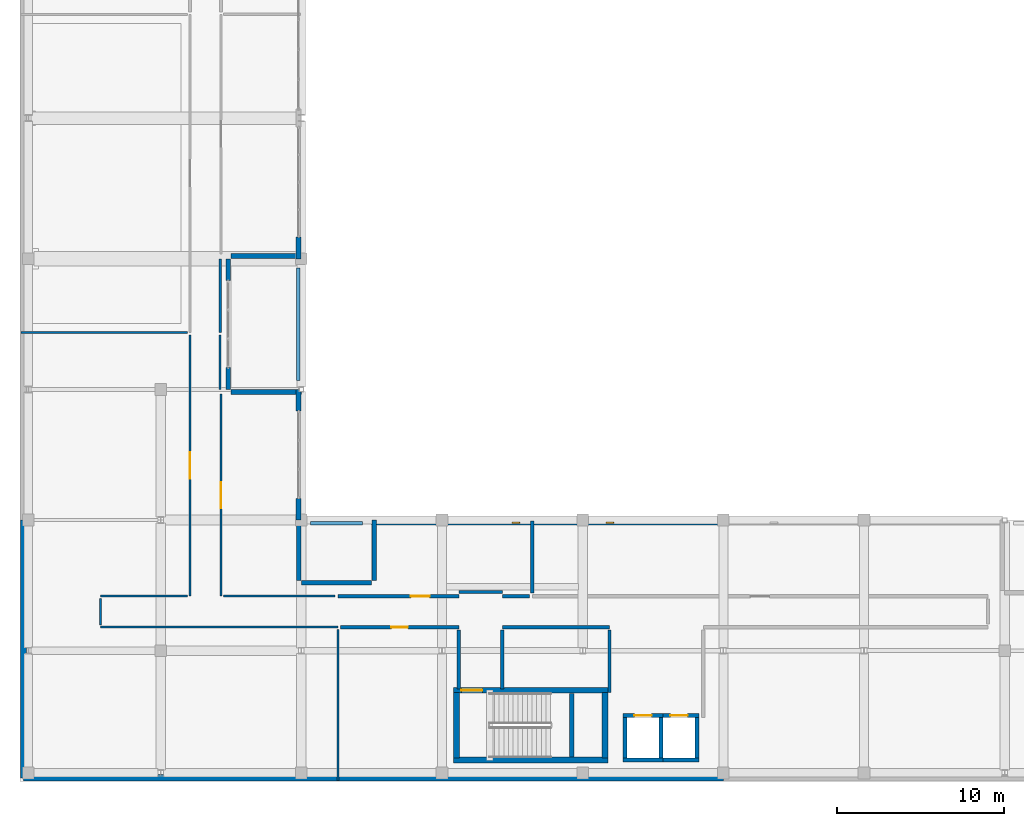
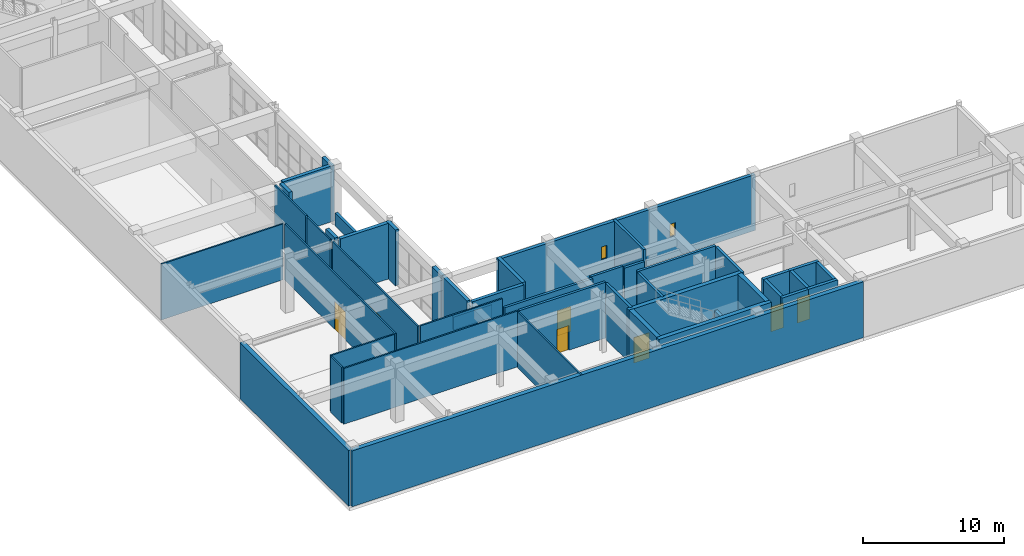
# One storey, part 58 of 78: 46 walls, 7 doors, 2 windows, 9 openings.
"""IFC4 building model written with IfcOpenShell, lengths in metres."""

import ifcopenshell
import ifcopenshell.guid

model = None  # the IFC model being written
_history = None  # IfcOwnerHistory: only IFC2X3 demands one
_inside = {}  # id of a spatial element -> (the spatial element, [elements in it])
_under = {}  # id of a project, library or spatial element -> (it, [spatial elements below it])
_declared = {}  # id of a project -> (the project, [libraries it declares])
_typed = {}  # id of a type object -> (the type object, [elements of that type])
_made_of = {}  # id of a material, layer set ... -> (it, [elements and type objects made of it])


def new_model(schema):
    """Start an empty IFC model of exactly this schema.

    Asked for "IFC4X3", IfcOpenShell would pick the latest addendum, in which some entities
    have other attributes; the version numbers below select the first issue.
    IFC2X3 requires an IfcOwnerHistory on every rooted entity: one is made here for all.
    """
    global model, _history
    if schema == "IFC4X3":
        model = ifcopenshell.file(schema_version=(4, 3, 0, 0))
    else:
        model = ifcopenshell.file(schema=schema)
    _inside.clear()
    _under.clear()
    _declared.clear()
    _typed.clear()
    _made_of.clear()
    _history = None
    if model.schema == "IFC2X3":
        org = make("IfcOrganization", Name="unknown")
        user = make(
            "IfcPersonAndOrganization",
            ThePerson=make("IfcPerson", FamilyName="unknown"),
            TheOrganization=org,
        )
        app = make(
            "IfcApplication",
            ApplicationDeveloper=org,
            Version="unknown",
            ApplicationFullName="unknown",
            ApplicationIdentifier="unknown",
        )
        _history = make(
            "IfcOwnerHistory",
            OwningUser=user,
            OwningApplication=app,
            ChangeAction="ADDED",
            CreationDate=0,
        )
    return model


def make(cls, **values):
    """One entity of the class cls with the attributes given. An attribute that is None is left unset."""
    return model.create_entity(
        cls, **{name: value for name, value in values.items() if value is not None}
    )


def rooted(cls, **values):
    """An entity with a GlobalId (a new one), such as an element, a storey or a relation."""
    return make(cls, GlobalId=ifcopenshell.guid.new(), OwnerHistory=_history, **values)


def si_unit(unit_type, name, prefix=None):
    """IfcSIUnit, for example si_unit("LENGTHUNIT", "METRE", prefix="MILLI")."""
    return make("IfcSIUnit", UnitType=unit_type, Prefix=prefix, Name=name)


def assignment(units):
    """IfcUnitAssignment: the units of a project."""
    return None if units is None else make("IfcUnitAssignment", Units=units)


def point(xyz):
    """IfcCartesianPoint."""
    return None if xyz is None else make("IfcCartesianPoint", Coordinates=xyz)


def direction(xyz):
    """IfcDirection."""
    return None if xyz is None else make("IfcDirection", DirectionRatios=xyz)


def frame(location, z_axis=None, x_axis=None):
    """IfcAxis2Placement3D, a coordinate frame: its origin and axes. An axis left out is left unset."""
    return make(
        "IfcAxis2Placement3D",
        Location=point(location),
        Axis=direction(z_axis),
        RefDirection=direction(x_axis),
    )


def frame_2d(location, x_axis=None):
    """IfcAxis2Placement2D, a coordinate frame in the plane: its origin and x axis."""
    return make(
        "IfcAxis2Placement2D", Location=point(location), RefDirection=direction(x_axis)
    )


def origin():
    """The frame at (0, 0, 0) with its axes left unset."""
    return frame((0.0, 0.0, 0.0))


def place(relative_to, where):
    """IfcLocalPlacement: puts the frame where relative to a parent placement (None: the world)."""
    return make(
        "IfcLocalPlacement", PlacementRelTo=relative_to, RelativePlacement=where
    )


def context(
    kind, dimensions, precision=None, world=None, true_north=None, identifier=None
):
    """IfcGeometricRepresentationContext, for example the 3D "Model" context."""
    return make(
        "IfcGeometricRepresentationContext",
        ContextIdentifier=identifier,
        ContextType=kind,
        CoordinateSpaceDimension=dimensions,
        Precision=precision,
        WorldCoordinateSystem=world,
        TrueNorth=true_north,
    )


def subcontext(parent, identifier, kind, view, scale=None):
    """IfcGeometricRepresentationSubContext, for example "Body" below "Model"."""
    return make(
        "IfcGeometricRepresentationSubContext",
        ContextIdentifier=identifier,
        ContextType=kind,
        ParentContext=parent,
        TargetScale=scale,
        TargetView=view,
    )


def project(units=None, contexts=None):
    """IfcProject with its units and contexts."""
    return rooted(
        "IfcProject",
        Name="project",
        RepresentationContexts=contexts,
        UnitsInContext=assignment(units),
    )


def spatial(cls, under=None, at=None, **own):
    """A site, building, storey or space (cls), placed at a placement, below another one or the project."""
    s = rooted(cls, ObjectPlacement=at, **own)
    if under is not None:
        _under.setdefault(under.id(), (under, []))[1].append(s)
    return s


def profile(cls, at=None, kind="AREA", **sizes):
    """A parametric profile (cls). Its sizes go by their IFC names, for example OverallWidth=200.0."""
    return make(cls, ProfileType=kind, Position=at, **sizes)


def rectangle(**sizes):
    """IfcRectangleProfileDef."""
    return profile("IfcRectangleProfileDef", **sizes)


def extrude(swept, where, along, depth):
    """IfcExtrudedAreaSolid: the profile swept, set in the frame where, extruded along a direction by depth."""
    return make(
        "IfcExtrudedAreaSolid",
        SweptArea=swept,
        Position=where,
        ExtrudedDirection=direction(along),
        Depth=depth,
    )


def shape(context_of_items, identifier, shape_type, items):
    """IfcShapeRepresentation: the items that make up one representation, for example the "Body"."""
    return make(
        "IfcShapeRepresentation",
        ContextOfItems=context_of_items,
        RepresentationIdentifier=identifier,
        RepresentationType=shape_type,
        Items=items,
    )


def material(Name=None, Category=None):
    """IfcMaterial."""
    return make("IfcMaterial", Name=Name, Category=Category)


def layer(
    of_material, thickness, ventilated=None, Name=None, Category=None, Priority=None
):
    """IfcMaterialLayer: one layer of a wall or slab, of a material (None: an air gap)."""
    return make(
        "IfcMaterialLayer",
        Material=of_material,
        LayerThickness=thickness,
        IsVentilated=ventilated,
        Name=Name,
        Category=Category,
        Priority=Priority,
    )


def layer_set(layers, Name=None):
    """IfcMaterialLayerSet."""
    return make("IfcMaterialLayerSet", MaterialLayers=layers, LayerSetName=Name)


def made_of(thing, what):
    """Note that an element or type object is made of a material, layer set ...; save() writes the relation."""
    if what is not None:
        _made_of.setdefault(what.id(), (what, []))[1].append(thing)
    return thing


def type_object(cls, material=None, **own):
    """A type object (cls), such as IfcWallType, which elements share."""
    return made_of(rooted(cls, **own), material)


def element(
    cls,
    number,
    at=None,
    inside=None,
    cuts=None,
    type_object=None,
    material=None,
    context=None,
    identifier="Body",
    shape_type=None,
    held_by="IfcProductDefinitionShape",
    body=None,
    shapes=None,
    **own,
):
    """One element of the class cls, such as IfcWall. Its Tag is "e" and its number.

    at: its placement. inside: the storey or other place that contains it. cuts: it is an
    opening in that element (IfcRelVoidsElement). A single representation is given by context,
    identifier, shape_type and body (its items); several are given by shapes. held_by: the class
    of the entity that holds the representations. save() writes the other relations.
    """
    e = rooted(cls, Tag="e%d" % number, ObjectPlacement=at, **own)
    if body is not None:
        shapes = [shape(context, identifier, shape_type, body)]
    if shapes is not None:
        e.Representation = make(held_by, Representations=shapes)
    if inside is not None:
        _inside.setdefault(inside.id(), (inside, []))[1].append(e)
    if cuts is not None:
        rooted(
            "IfcRelVoidsElement", RelatingBuildingElement=cuts, RelatedOpeningElement=e
        )
    if type_object is not None:
        _typed.setdefault(type_object.id(), (type_object, []))[1].append(e)
    return made_of(e, material)


def fill(opening, filler):
    """IfcRelFillsElement: the door or window that sits in an opening."""
    return rooted(
        "IfcRelFillsElement",
        RelatingOpeningElement=opening,
        RelatedBuildingElement=filler,
    )


def aggregate(whole, parts):
    """IfcRelAggregates: a whole, such as a stair, and the parts it consists of."""
    return rooted("IfcRelAggregates", RelatingObject=whole, RelatedObjects=parts)


def save(model, path):
    """Write the relations noted so far, then the file.

    IfcRelAggregates (storeys below a building ...), IfcRelContainedInSpatialStructure (elements
    in a storey), IfcRelDefinesByType, IfcRelAssociatesMaterial and IfcRelDeclares: one each for
    every whole, place, type object, material and project.
    """
    for whole, parts in _under.values():
        aggregate(whole, parts)
    for where, things in _inside.values():
        rooted(
            "IfcRelContainedInSpatialStructure",
            RelatedElements=things,
            RelatingStructure=where,
        )
    for kind, things in _typed.values():
        rooted("IfcRelDefinesByType", RelatedObjects=things, RelatingType=kind)
    for what, things in _made_of.values():
        rooted("IfcRelAssociatesMaterial", RelatedObjects=things, RelatingMaterial=what)
    for by, libraries in _declared.values():
        rooted("IfcRelDeclares", RelatingContext=by, RelatedDefinitions=libraries)
    model.write(path)


model = new_model("IFC4")

# Units and contexts
model_context = context("Model", 3, precision=1e-05, world=origin(), true_north=direction((0.0, 1.0)))
body_context = subcontext(model_context, "Body", "Model", "MODEL_VIEW")
ifc_project = project(units=[si_unit("LENGTHUNIT", "METRE"), si_unit("AREAUNIT", "SQUARE_METRE"), si_unit("VOLUMEUNIT", "CUBIC_METRE"), si_unit("PLANEANGLEUNIT", "RADIAN"), si_unit("MASSUNIT", "GRAM", prefix="KILO")], contexts=[model_context])

# Site, building, storey
site_placement = place(None, origin())
site = spatial("IfcSite", under=ifc_project, at=site_placement, CompositionType="ELEMENT")
building_placement = place(site_placement, origin())
building = spatial("IfcBuilding", under=site, at=building_placement, Name="Quendrovan Civic Courthouse", CompositionType="ELEMENT")
storey_placement = place(building_placement, frame((0.0, 0.0, 10.199951171875)))
storey = spatial("IfcBuildingStorey", under=building, at=storey_placement, Name="L03", CompositionType="ELEMENT", Elevation=10.199951171875)

# Walls
ifc_material_1 = material(Name="Acoustic gypsum stud partition")
ifc_layer_1 = layer(ifc_material_1, 0.139892578125, Name="Acoustic gypsum stud partition")
ifc_layer_set_1 = layer_set([ifc_layer_1], Name="Acoustic gypsum stud partition")
wall_type_1 = type_object("IfcWallType", Name="WL-CHM-140", PredefinedType="PARTITIONING", material=ifc_layer_set_1)
wall_1_placement = place(storey_placement, frame((11.949951171875, 26.800048828125, 0.0), z_axis=(0.0, 0.0, 1.0), x_axis=(0.0, 1.0, 0.0)))
element("IfcWall", 1, at=wall_1_placement, inside=storey, type_object=wall_type_1, Name="L03 Attorney Conference Room Partition 0484", PredefinedType="PARTITIONING", context=body_context, shape_type="SweptSolid", body=[
    extrude(rectangle(XDim=4.39990234375, YDim=0.139892578125, at=frame_2d((2.199951171875, 0.0))), origin(), (0.0, 0.0, 1.0), 4.820068359375),
])
ifc_material_2 = material(Name="Concrete C45/55", Category="concrete")
ifc_layer_2 = layer(ifc_material_2, 0.35009765625, Name="Concrete C45/55")
ifc_layer_set_2 = layer_set([ifc_layer_2], Name="Concrete C45/55")
wall_type_2 = type_object("IfcWallType", Name="WL-CORE-350", PredefinedType="SHEAR", material=ifc_layer_set_2)
wall_2_placement = place(storey_placement, frame((25.889892578125, 1.264892578125, 0.0), z_axis=(0.0, 0.0, 1.0), x_axis=(1.0, 0.0, 0.0)))
element("IfcWall", 2, at=wall_2_placement, inside=storey, type_object=wall_type_2, Name="L03 Core Shear Wall ST5-S", PredefinedType="SHEAR", context=body_context, shape_type="SweptSolid", body=[
    extrude(rectangle(XDim=9.22021484375, YDim=0.35009765625, at=frame_2d((4.610107421875, 0.0))), origin(), (0.0, 0.0, 1.0), 4.820068359375),
])

# Wall, opening, door
wall_3_placement = place(storey_placement, frame((35.110107421875, 5.43505859375, 0.0), z_axis=(0.0, 0.0, 1.0), x_axis=(-1.0, 0.0, 0.0)))
wall_3 = element("IfcWall", 3, at=wall_3_placement, inside=storey, type_object=wall_type_2, Name="L03 Core Shear Wall ST5-N", PredefinedType="SHEAR", context=body_context, shape_type="SweptSolid", body=[
    extrude(rectangle(XDim=9.22021484375, YDim=0.35009765625, at=frame_2d((4.610107421875, 0.0))), origin(), (0.0, 0.0, 1.0), 4.820068359375),
])
opening_1_placement = place(wall_3_placement, frame((7.5, 0.0, 0.0)))
opening_1 = element("IfcOpeningElement", 4, at=opening_1_placement, cuts=wall_3, Name="Opening DS-ST5-L03", PredefinedType="OPENING", context=body_context, shape_type="SweptSolid", body=[
    extrude(rectangle(XDim=1.25, YDim=2.199951171875, at=frame_2d((0.625, 1.10009765625))), frame((0.0, 0.18505859375, 0.0), z_axis=(0.0, -1.0, 0.0), x_axis=(1.0, 0.0, 0.0)), (0.0, 0.0, 1.0), 0.3701171875),
])
ifc_material_3 = material(Name="Painted galvanized hollow-metal steel", Category="steel")
door_type_1 = type_object("IfcDoorType", Name="DR-STAIR-1250", OperationType="NOTDEFINED", PredefinedType="DOOR", material=ifc_material_3)
door_1_placement = place(opening_1_placement, origin())
door_1 = element("IfcDoor", 5, at=door_1_placement, inside=storey, type_object=door_type_1, Name="L03 Exit Stair ST5 Fire Door", OperationType="SINGLE_SWING_LEFT", OverallHeight=2.199951171875, OverallWidth=1.25, PredefinedType="DOOR", context=body_context, shape_type="SweptSolid", body=[
    extrude(rectangle(XDim=1.25, YDim=2.199951171875, at=frame_2d((0.625, 1.10009765625))), frame((0.0, 0.02490234375, 0.0), z_axis=(0.0, -1.0, 0.0), x_axis=(1.0, 0.0, 0.0)), (0.0, 0.0, 1.0), 0.050048828125),
])
fill(opening_1, door_1)

# Walls
for number, where, z_axis, x_axis, name in (
    (6, (26.06494140625, 1.39990234375, 0.0), (0.0, 0.0, 1.0), (0.0, 1.0, 0.0), "L03 Core Shear Wall ST5-W"),
    (7, (34.93505859375, 5.300048828125, 0.0), (0.0, 0.0, 1.0), (0.0, -1.0, 0.0), "L03 Core Shear Wall ST5-E"),
):
    element("IfcWall", number, at=place(storey_placement, frame(where, z_axis=z_axis, x_axis=x_axis)), inside=storey, type_object=wall_type_2, Name=name, PredefinedType="SHEAR", context=body_context, shape_type="SweptSolid", body=[
        extrude(rectangle(XDim=3.900146484375, YDim=0.35009765625, at=frame_2d((1.9501953125, 0.0))), origin(), (0.0, 0.0, 1.0), 4.820068359375),
    ])

# Wall, opening, door
ifc_material_4 = material(Name="Concrete C40/50", Category="concrete")
ifc_layer_3 = layer(ifc_material_4, 0.199951171875, Name="Concrete C40/50")
ifc_layer_set_3 = layer_set([ifc_layer_3], Name="Concrete C40/50")
wall_type_3 = type_object("IfcWallType", Name="WL-CUST-200", PredefinedType="PARTITIONING", material=ifc_layer_set_3)
wall_4_placement = place(storey_placement, frame((19.139892578125, 9.199951171875, 0.0), z_axis=(0.0, 0.0, 1.0), x_axis=(1.0, 0.0, 0.0)))
wall_4 = element("IfcWall", 8, at=wall_4_placement, inside=storey, type_object=wall_type_3, Name="L03 Custody Holding Cell Partition 0463", PredefinedType="PARTITIONING", context=body_context, shape_type="SweptSolid", body=[
    extrude(rectangle(XDim=7.06005859375, YDim=0.199951171875, at=frame_2d((3.530029296875, 0.0))), origin(), (0.0, 0.0, 1.0), 4.820068359375),
])
opening_2_placement = place(wall_4_placement, frame((3.0400390625, 0.0, 0.0)))
opening_2 = element("IfcOpeningElement", 9, at=opening_2_placement, cuts=wall_4, Name="Opening D-L03-061", PredefinedType="OPENING", context=body_context, shape_type="SweptSolid", body=[
    extrude(rectangle(XDim=0.97998046875, YDim=2.1201171875, at=frame_2d((0.489990234375, 1.06005859375))), frame((0.0, 0.10986328125, 0.0), z_axis=(0.0, -1.0, 0.0), x_axis=(1.0, 0.0, 0.0)), (0.0, 0.0, 1.0), 0.219970703125),
])
ifc_material_5 = material(Name="Heavy-gauge security steel door", Category="steel")
door_type_2 = type_object("IfcDoorType", Name="DR-CELL-980", OperationType="NOTDEFINED", PredefinedType="DOOR", material=ifc_material_5)
door_2_placement = place(opening_2_placement, origin())
door_2 = element("IfcDoor", 10, at=door_2_placement, inside=storey, type_object=door_type_2, Name="L03 Custody Holding Cell Door D-L03-061", OperationType="SINGLE_SWING_RIGHT", OverallHeight=2.1201171875, OverallWidth=0.97998046875, PredefinedType="DOOR", context=body_context, shape_type="SweptSolid", body=[
    extrude(rectangle(XDim=0.97998046875, YDim=2.1201171875, at=frame_2d((0.489990234375, 1.06005859375))), frame((0.0, 0.02490234375, 0.0), z_axis=(0.0, -1.0, 0.0), x_axis=(1.0, 0.0, 0.0)), (0.0, 0.0, 1.0), 0.050048828125),
])
fill(opening_2, door_2)

wall_5_placement = place(storey_placement, frame((26.199951171875, 11.050048828125, 0.0), z_axis=(0.0, 0.0, 1.0), x_axis=(-1.0, 0.0, 0.0)))
wall_5 = element("IfcWall", 11, at=wall_5_placement, inside=storey, type_object=wall_type_3, Name="L03 Custody Suite Medical and Classification Unit 2 Partition 0464", PredefinedType="PARTITIONING", context=body_context, shape_type="SweptSolid", body=[
    extrude(rectangle(XDim=7.199951171875, YDim=0.199951171875, at=frame_2d((3.60009765625, 0.0))), origin(), (0.0, 0.0, 1.0), 4.0),
])
opening_3_placement = place(wall_5_placement, frame((1.743896484375, 0.0, 0.0)))
opening_3 = element("IfcOpeningElement", 12, at=opening_3_placement, cuts=wall_5, Name="Opening D-L03-064", PredefinedType="OPENING", context=body_context, shape_type="SweptSolid", body=[
    extrude(rectangle(XDim=1.1201171875, YDim=2.14990234375, at=frame_2d((0.56005859375, 1.074951171875))), frame((0.0, 0.10986328125, 0.0), z_axis=(0.0, -1.0, 0.0), x_axis=(1.0, 0.0, 0.0)), (0.0, 0.0, 1.0), 0.219970703125),
])
door_type_3 = type_object("IfcDoorType", Name="DR-CUST-1120", OperationType="NOTDEFINED", PredefinedType="DOOR", material=ifc_material_5)
door_3_placement = place(opening_3_placement, origin())
door_3 = element("IfcDoor", 13, at=door_3_placement, inside=storey, type_object=door_type_3, Name="L03 Custody Suite Medical and Classification Unit 2 Door D-L03-064", OperationType="SINGLE_SWING_LEFT", OverallHeight=2.14990234375, OverallWidth=1.1201171875, PredefinedType="DOOR", context=body_context, shape_type="SweptSolid", body=[
    extrude(rectangle(XDim=1.1201171875, YDim=2.14990234375, at=frame_2d((0.56005859375, 1.074951171875))), frame((0.0, 0.02490234375, 0.0), z_axis=(0.0, -1.0, 0.0), x_axis=(1.0, 0.0, 0.0)), (0.0, 0.0, 1.0), 0.050048828125),
])
fill(opening_3, door_3)

# Walls
wall_6_placement = place(storey_placement, frame((28.800048828125, 9.199951171875, 0.0), z_axis=(0.0, 0.0, 1.0), x_axis=(1.0, 0.0, 0.0)))
element("IfcWall", 14, at=wall_6_placement, inside=storey, type_object=wall_type_3, Name="L03 Custody Suite Medical and Classification Unit 1 Partition 0471", PredefinedType="PARTITIONING", context=body_context, shape_type="SweptSolid", body=[
    extrude(rectangle(XDim=6.39990234375, YDim=0.199951171875, at=frame_2d((3.199951171875, 0.0))), origin(), (0.0, 0.0, 1.0), 4.820068359375),
])
wall_7_placement = place(storey_placement, frame((35.199951171875, 9.02001953125, 0.0), z_axis=(0.0, 0.0, 1.0), x_axis=(0.0, -1.0, 0.0)))
element("IfcWall", 15, at=wall_7_placement, inside=storey, type_object=wall_type_3, Name="L03 Custody Suite Medical and Classification Unit 1 Partition 0476", PredefinedType="PARTITIONING", context=body_context, shape_type="SweptSolid", body=[
    extrude(rectangle(XDim=3.719970703125, YDim=0.199951171875, at=frame_2d((1.85986328125, 0.0))), origin(), (0.0, 0.0, 1.0), 4.820068359375),
])
wall_8_placement = place(storey_placement, frame((30.590087890625, 11.22998046875, 0.0), z_axis=(0.0, 0.0, 1.0), x_axis=(0.0, 1.0, 0.0)))
element("IfcWall", 16, at=wall_8_placement, inside=storey, type_object=wall_type_3, Name="L03 Custody Suite Medical and Classification Unit 1 Partition 0483", PredefinedType="PARTITIONING", context=body_context, shape_type="SweptSolid", body=[
    extrude(rectangle(XDim=4.31005859375, YDim=0.199951171875, at=frame_2d((2.155029296875, 0.0))), origin(), (0.0, 0.0, 1.0), 4.820068359375),
])
for number, where, z_axis, x_axis, name in (
    (17, (26.199951171875, 9.02001953125, 0.0), (0.0, 0.0, 1.0), (0.0, -1.0, 0.0), "L03 Custody Holding Cell Partition 0493"),
    (18, (28.800048828125, 5.52001953125, 0.0), (0.0, 0.0, 1.0), (0.0, 1.0, 0.0), "L03 Custody Suite Medical and Classification Unit 1 Partition 0494"),
):
    element("IfcWall", number, at=place(storey_placement, frame(where, z_axis=z_axis, x_axis=x_axis)), inside=storey, type_object=wall_type_3, Name=name, PredefinedType="PARTITIONING", context=body_context, shape_type="SweptSolid", body=[
        extrude(rectangle(XDim=3.5, YDim=0.199951171875, at=frame_2d((1.75, 0.0))), origin(), (0.0, 0.0, 1.0), 4.820068359375),
    ])
wall_9_placement = place(storey_placement, frame((28.800048828125, 11.300048828125, 0.0), z_axis=(0.0, 0.0, 1.0), x_axis=(-1.0, 0.0, 0.0)))
element("IfcWall", 19, at=wall_9_placement, inside=storey, type_object=wall_type_3, Name="L03 Custody Suite Medical and Classification Unit 2 Partition 0512", PredefinedType="PARTITIONING", context=body_context, shape_type="SweptSolid", body=[
    extrude(rectangle(XDim=2.60009765625, YDim=0.199951171875, at=frame_2d((1.300048828125, 0.0))), origin(), (0.0, 0.0, 1.0), 4.0),
])
wall_10_placement = place(storey_placement, frame((30.409912109375, 11.050048828125, 0.0), z_axis=(0.0, 0.0, 1.0), x_axis=(-1.0, 0.0, 0.0)))
element("IfcWall", 20, at=wall_10_placement, inside=storey, type_object=wall_type_3, Name="L03 Custody Suite Medical and Classification Unit 2 Partition 0532", PredefinedType="PARTITIONING", context=body_context, shape_type="SweptSolid", body=[
    extrude(rectangle(XDim=1.60986328125, YDim=0.199951171875, at=frame_2d((0.804931640625, 0.0))), origin(), (0.0, 0.0, 1.0), 4.0),
])
ifc_material_6 = material(Name="Precast concrete C45/55", Category="concrete")
ifc_layer_4 = layer(ifc_material_6, 0.2900390625, Name="Precast concrete C45/55")
ifc_layer_set_4 = layer_set([ifc_layer_4], Name="Precast concrete C45/55")
wall_type_4 = type_object("IfcWallType", Name="WL-EXT-PC290", PredefinedType="SOLIDWALL", material=ifc_layer_set_4)
wall_11_placement = place(storey_placement, frame((16.635009765625, 32.5, 0.0), z_axis=(0.0, 0.0, 1.0), x_axis=(0.0, -1.0, 0.0)))
element("IfcWall", 21, at=wall_11_placement, inside=storey, type_object=wall_type_4, Name="L03 Exterior Pier Wall 266", PredefinedType="SOLIDWALL", context=body_context, shape_type="SweptSolid", body=[
    extrude(rectangle(XDim=1.300048828125, YDim=0.2900390625, at=frame_2d((0.64990234375, 0.0))), origin(), (0.0, 0.0, 1.0), 4.820068359375),
])
wall_12_placement = place(storey_placement, frame((16.800048828125, 31.364990234375, 0.0), z_axis=(0.0, 0.0, 1.0), x_axis=(-1.0, 0.0, 0.0)))
element("IfcWall", 22, at=wall_12_placement, inside=storey, type_object=wall_type_4, Name="L03 Exterior Civic Portal Wall 267", PredefinedType="SOLIDWALL", context=body_context, shape_type="SweptSolid", body=[
    extrude(rectangle(XDim=4.199951171875, YDim=0.2900390625, at=frame_2d((2.10009765625, 0.0))), origin(), (0.0, 0.0, 1.0), 4.820068359375),
])
for number, where, z_axis, x_axis, name in (
    (23, (12.43505859375, 31.199951171875, 0.0), (0.0, 0.0, 1.0), (0.0, -1.0, 0.0), "L03 Exterior Pier Wall 268"),
    (24, (12.43505859375, 24.699951171875, 0.0), (0.0, 0.0, 1.0), (0.0, -1.0, 0.0), "L03 Exterior Pier Wall 269"),
):
    element("IfcWall", number, at=place(storey_placement, frame(where, z_axis=z_axis, x_axis=x_axis)), inside=storey, type_object=wall_type_4, Name=name, PredefinedType="SOLIDWALL", context=body_context, shape_type="SweptSolid", body=[
        extrude(rectangle(XDim=1.300048828125, YDim=0.2900390625, at=frame_2d((0.64990234375, 0.0))), origin(), (0.0, 0.0, 1.0), 4.820068359375),
    ])
wall_13_placement = place(storey_placement, frame((12.60009765625, 23.235107421875, 0.0), z_axis=(0.0, 0.0, 1.0), x_axis=(1.0, 0.0, 0.0)))
element("IfcWall", 25, at=wall_13_placement, inside=storey, type_object=wall_type_4, Name="L03 Exterior Civic Portal Wall 270", PredefinedType="SOLIDWALL", context=body_context, shape_type="SweptSolid", body=[
    extrude(rectangle(XDim=4.199951171875, YDim=0.2900390625, at=frame_2d((2.10009765625, 0.0))), origin(), (0.0, 0.0, 1.0), 4.820068359375),
])
for number, where, z_axis, x_axis, name in (
    (26, (16.635009765625, 23.39990234375, 0.0), (0.0, 0.0, 1.0), (0.0, -1.0, 0.0), "L03 Exterior Pier Wall 271"),
    (27, (16.635009765625, 16.89990234375, 0.0), (0.0, 0.0, 1.0), (0.0, -1.0, 0.0), "L03 Exterior Pier Wall 272"),
):
    element("IfcWall", number, at=place(storey_placement, frame(where, z_axis=z_axis, x_axis=x_axis)), inside=storey, type_object=wall_type_4, Name=name, PredefinedType="SOLIDWALL", context=body_context, shape_type="SweptSolid", body=[
        extrude(rectangle(XDim=1.2998046875, YDim=0.2900390625, at=frame_2d((0.64990234375, 0.0))), origin(), (0.0, 0.0, 1.0), 4.820068359375),
    ])
ifc_layer_5 = layer(ifc_material_4, 0.27001953125, Name="Concrete C40/50")
ifc_layer_set_5 = layer_set([ifc_layer_5], Name="Concrete C40/50")
wall_type_5 = type_object("IfcWallType", Name="WL-EXT-RC270", PredefinedType="SOLIDWALL", material=ifc_layer_set_5)
wall_14_placement = place(storey_placement, frame((16.64501953125, 15.60009765625, 0.0), z_axis=(0.0, 0.0, 1.0), x_axis=(0.0, -1.0, 0.0)))
element("IfcWall", 28, at=wall_14_placement, inside=storey, type_object=wall_type_5, Name="L03 Exterior Precast Concrete Wall 273", PredefinedType="SOLIDWALL", context=body_context, shape_type="SweptSolid", body=[
    extrude(rectangle(XDim=3.60009765625, YDim=0.27001953125, at=frame_2d((1.800048828125, 0.0))), origin(), (0.0, 0.0, 1.0), 4.820068359375),
])
wall_15_placement = place(storey_placement, frame((16.800048828125, 11.844970703125, 0.0), z_axis=(0.0, 0.0, 1.0), x_axis=(1.0, 0.0, 0.0)))
element("IfcWall", 29, at=wall_15_placement, inside=storey, type_object=wall_type_5, Name="L03 Exterior Precast Concrete Wall 274", PredefinedType="SOLIDWALL", context=body_context, shape_type="SweptSolid", body=[
    extrude(rectangle(XDim=4.199951171875, YDim=0.27001953125, at=frame_2d((2.10009765625, 0.0))), origin(), (0.0, 0.0, 1.0), 4.820068359375),
])
wall_16_placement = place(storey_placement, frame((21.155029296875, 12.0, 0.0), z_axis=(0.0, 0.0, 1.0), x_axis=(0.0, 1.0, 0.0)))
element("IfcWall", 30, at=wall_16_placement, inside=storey, type_object=wall_type_5, Name="L03 Exterior Precast Concrete Wall 275", PredefinedType="SOLIDWALL", context=body_context, shape_type="SweptSolid", body=[
    extrude(rectangle(XDim=3.60009765625, YDim=0.27001953125, at=frame_2d((1.800048828125, 0.0))), origin(), (0.0, 0.0, 1.0), 4.820068359375),
])

# Wall, openings, windows
wall_17_placement = place(storey_placement, frame((21.0, 15.445068359375, 0.0), z_axis=(0.0, 0.0, 1.0), x_axis=(1.0, 0.0, 0.0)))
wall_17 = element("IfcWall", 31, at=wall_17_placement, inside=storey, type_object=wall_type_5, Name="L03 Exterior Precast Concrete Wall 276", PredefinedType="SOLIDWALL", context=body_context, shape_type="SweptSolid", body=[
    extrude(rectangle(XDim=21.0, YDim=0.27001953125, at=frame_2d((10.5, 0.0))), origin(), (0.0, 0.0, 1.0), 4.820068359375),
])
opening_4_placement = place(wall_17_placement, frame((8.39990234375, 0.0, 1.85009765625)))
opening_4 = element("IfcOpeningElement", 32, at=opening_4_placement, cuts=wall_17, Name="Opening WS01", PredefinedType="OPENING", context=body_context, shape_type="SweptSolid", body=[
    extrude(rectangle(XDim=0.449951171875, YDim=1.10009765625, at=frame_2d((0.22509765625, 0.550048828125))), frame((0.0, 0.14501953125, 0.0), z_axis=(0.0, -1.0, 0.0), x_axis=(1.0, 0.0, 0.0)), (0.0, 0.0, 1.0), 0.2900390625),
])
opening_5_placement = place(wall_17_placement, frame((14.0, 0.0, 1.85009765625)))
opening_5 = element("IfcOpeningElement", 33, at=opening_5_placement, cuts=wall_17, Name="Opening WS01", PredefinedType="OPENING", context=body_context, shape_type="SweptSolid", body=[
    extrude(rectangle(XDim=0.449951171875, YDim=1.10009765625, at=frame_2d((0.22509765625, 0.550048828125))), frame((0.0, 0.14501953125, 0.0), z_axis=(0.0, -1.0, 0.0), x_axis=(1.0, 0.0, 0.0)), (0.0, 0.0, 1.0), 0.2900390625),
])
ifc_material_7 = material(Name="Polycarbonate laminated security glass", Category="glass")
window_type = type_object("IfcWindowType", Name="WIN-SEC-SLOT", PartitioningType="SINGLE_PANEL", PredefinedType="WINDOW", material=ifc_material_7)
window_1_placement = place(opening_4_placement, origin())
window_1 = element("IfcWindow", 34, at=window_1_placement, inside=storey, type_object=window_type, Name="L03 Custody High-Sill Security Window 0010", OverallHeight=1.10009765625, OverallWidth=0.449951171875, PartitioningType="SINGLE_PANEL", PredefinedType="WINDOW", context=body_context, shape_type="SweptSolid", body=[
    extrude(rectangle(XDim=0.449951171875, YDim=1.10009765625, at=frame_2d((0.22509765625, 0.550048828125))), frame((0.0, 0.030029296875, 0.0), z_axis=(0.0, -1.0, 0.0), x_axis=(1.0, 0.0, 0.0)), (0.0, 0.0, 1.0), 0.06005859375),
])
fill(opening_4, window_1)
window_2_placement = place(opening_5_placement, origin())
window_2 = element("IfcWindow", 35, at=window_2_placement, inside=storey, type_object=window_type, Name="L03 Custody High-Sill Security Window 0011", OverallHeight=1.10009765625, OverallWidth=0.449951171875, PartitioningType="SINGLE_PANEL", PredefinedType="WINDOW", context=body_context, shape_type="SweptSolid", body=[
    extrude(rectangle(XDim=0.449951171875, YDim=1.10009765625, at=frame_2d((0.22509765625, 0.550048828125))), frame((0.0, 0.030029296875, 0.0), z_axis=(0.0, -1.0, 0.0), x_axis=(1.0, 0.0, 0.0)), (0.0, 0.0, 1.0), 0.06005859375),
])
fill(opening_5, window_2)

# Wall, opening, door
ifc_material_8 = material(Name="Acoustic glazed-head stud partition")
ifc_layer_6 = layer(ifc_material_8, 0.1201171875, Name="Acoustic glazed-head stud partition")
ifc_layer_set_6 = layer_set([ifc_layer_6], Name="Acoustic glazed-head stud partition")
wall_type_6 = type_object("IfcWallType", Name="WL-LIB-120", PredefinedType="PARTITIONING", material=ifc_layer_set_6)
wall_18_placement = place(storey_placement, frame((10.14990234375, 26.659912109375, 0.0), z_axis=(0.0, 0.0, 1.0), x_axis=(0.0, -1.0, 0.0)))
wall_18 = element("IfcWall", 36, at=wall_18_placement, inside=storey, type_object=wall_type_6, Name="L03 Law Library Open Book Stacks 1 Partition 0440", PredefinedType="PARTITIONING", context=body_context, shape_type="SweptSolid", body=[
    extrude(rectangle(XDim=15.60986328125, YDim=0.1201171875, at=frame_2d((7.804931640625, 0.0))), origin(), (0.0, 0.0, 1.0), 4.820068359375),
])
opening_6_placement = place(wall_18_placement, frame((7.02490234375, 0.0, 0.0)))
opening_6 = element("IfcOpeningElement", 37, at=opening_6_placement, cuts=wall_18, Name="Opening D-L03-060", PredefinedType="OPENING", context=body_context, shape_type="SweptSolid", body=[
    extrude(rectangle(XDim=1.56005859375, YDim=2.43994140625, at=frame_2d((0.780029296875, 1.219970703125))), frame((0.0, 0.070068359375, 0.0), z_axis=(0.0, -1.0, 0.0), x_axis=(1.0, 0.0, 0.0)), (0.0, 0.0, 1.0), 0.14013671875),
])
ifc_material_9 = material(Name="Bronze-anodised aluminium acoustic glass door", Category="aluminium")
door_type_4 = type_object("IfcDoorType", Name="DR-LIB-1560", OperationType="NOTDEFINED", PredefinedType="DOOR", material=ifc_material_9)
door_4_placement = place(opening_6_placement, origin())
door_4 = element("IfcDoor", 38, at=door_4_placement, inside=storey, type_object=door_type_4, Name="L03 Law Library Open Book Stacks 1 Door D-L03-060", OperationType="SINGLE_SWING_LEFT", OverallHeight=2.43994140625, OverallWidth=1.56005859375, PredefinedType="DOOR", context=body_context, shape_type="SweptSolid", body=[
    extrude(rectangle(XDim=1.56005859375, YDim=2.43994140625, at=frame_2d((0.780029296875, 1.219970703125))), frame((0.0, 0.02490234375, 0.0), z_axis=(0.0, -1.0, 0.0), x_axis=(1.0, 0.0, 0.0)), (0.0, 0.0, 1.0), 0.050048828125),
])
fill(opening_6, door_4)

# Wall
wall_19_placement = place(storey_placement, frame((4.800048828125, 9.199951171875, 0.0), z_axis=(0.0, 0.0, 1.0), x_axis=(1.0, 0.0, 0.0)))
element("IfcWall", 39, at=wall_19_placement, inside=storey, type_object=wall_type_6, Name="L03 Law Library Open Book Stacks 1 Partition 0449", PredefinedType="PARTITIONING", context=body_context, shape_type="SweptSolid", body=[
    extrude(rectangle(XDim=14.199951171875, YDim=0.1201171875, at=frame_2d((7.10009765625, 0.0))), origin(), (0.0, 0.0, 1.0), 4.820068359375),
])

# Wall, opening, door
wall_20_placement = place(storey_placement, frame((12.0, 11.050048828125, 0.0), z_axis=(0.0, 0.0, 1.0), x_axis=(0.0, 1.0, 0.0)))
wall_20 = element("IfcWall", 40, at=wall_20_placement, inside=storey, type_object=wall_type_6, Name="L03 Law Library Open Book Stacks 2 Partition 0452", PredefinedType="PARTITIONING", context=body_context, shape_type="SweptSolid", body=[
    extrude(rectangle(XDim=12.079833984375, YDim=0.1201171875, at=frame_2d((6.0400390625, 0.0))), origin(), (0.0, 0.0, 1.0), 4.820068359375),
])
opening_7_placement = place(wall_20_placement, frame((5.260009765625, 0.0, 0.0)))
opening_7 = element("IfcOpeningElement", 41, at=opening_7_placement, cuts=wall_20, Name="Opening D-L03-063", PredefinedType="OPENING", context=body_context, shape_type="SweptSolid", body=[
    extrude(rectangle(XDim=1.56005859375, YDim=2.43994140625, at=frame_2d((0.780029296875, 1.219970703125))), frame((0.0, 0.070068359375, 0.0), z_axis=(0.0, -1.0, 0.0), x_axis=(1.0, 0.0, 0.0)), (0.0, 0.0, 1.0), 0.14013671875),
])
door_5_placement = place(opening_7_placement, origin())
door_5 = element("IfcDoor", 42, at=door_5_placement, inside=storey, type_object=door_type_4, Name="L03 Law Library Open Book Stacks 2 Door D-L03-063", OperationType="SINGLE_SWING_RIGHT", OverallHeight=2.43994140625, OverallWidth=1.56005859375, PredefinedType="DOOR", context=body_context, shape_type="SweptSolid", body=[
    extrude(rectangle(XDim=1.56005859375, YDim=2.43994140625, at=frame_2d((0.780029296875, 1.219970703125))), frame((0.0, 0.02490234375, 0.0), z_axis=(0.0, -1.0, 0.0), x_axis=(1.0, 0.0, 0.0)), (0.0, 0.0, 1.0), 0.050048828125),
])
fill(opening_7, door_5)

# Walls
wall_21_placement = place(storey_placement, frame((0.06005859375, 26.800048828125, 0.0), z_axis=(0.0, 0.0, 1.0), x_axis=(1.0, 0.0, 0.0)))
element("IfcWall", 43, at=wall_21_placement, inside=storey, type_object=wall_type_6, Name="L03 Law Library Open Book Stacks 1 Partition 0458", PredefinedType="PARTITIONING", context=body_context, shape_type="SweptSolid", body=[
    extrude(rectangle(XDim=9.949951171875, YDim=0.1201171875, at=frame_2d((4.97509765625, 0.0))), origin(), (0.0, 0.0, 1.0), 4.820068359375),
])
wall_22_placement = place(storey_placement, frame((19.0, 9.06005859375, 0.0), z_axis=(0.0, 0.0, 1.0), x_axis=(0.0, -1.0, 0.0)))
element("IfcWall", 44, at=wall_22_placement, inside=storey, type_object=wall_type_6, Name="L03 Law Library Open Book Stacks 1 Partition 0460", PredefinedType="PARTITIONING", context=body_context, shape_type="SweptSolid", body=[
    extrude(rectangle(XDim=9.0, YDim=0.1201171875, at=frame_2d((4.5, 0.0))), origin(), (0.0, 0.0, 1.0), 4.820068359375),
])
wall_23_placement = place(storey_placement, frame((18.820068359375, 11.050048828125, 0.0), z_axis=(0.0, 0.0, 1.0), x_axis=(-1.0, 0.0, 0.0)))
element("IfcWall", 45, at=wall_23_placement, inside=storey, type_object=wall_type_6, Name="L03 Law Library Open Book Stacks 2 Partition 0465", PredefinedType="PARTITIONING", context=body_context, shape_type="SweptSolid", body=[
    extrude(rectangle(XDim=6.68017578125, YDim=0.1201171875, at=frame_2d((3.340087890625, 0.0))), origin(), (0.0, 0.0, 1.0), 4.820068359375),
])
wall_24_placement = place(storey_placement, frame((10.010009765625, 11.050048828125, 0.0), z_axis=(0.0, 0.0, 1.0), x_axis=(-1.0, 0.0, 0.0)))
element("IfcWall", 46, at=wall_24_placement, inside=storey, type_object=wall_type_6, Name="L03 Law Library Open Book Stacks 1 Partition 0477", PredefinedType="PARTITIONING", context=body_context, shape_type="SweptSolid", body=[
    extrude(rectangle(XDim=5.2099609375, YDim=0.1201171875, at=frame_2d((2.60498046875, 0.0))), origin(), (0.0, 0.0, 1.0), 4.820068359375),
])
wall_25_placement = place(storey_placement, frame((11.949951171875, 23.39990234375, 0.0), z_axis=(0.0, 0.0, 1.0), x_axis=(0.0, 1.0, 0.0)))
element("IfcWall", 47, at=wall_25_placement, inside=storey, type_object=wall_type_6, Name="L03 Law Library Open Book Stacks 2 Partition 0498", PredefinedType="PARTITIONING", context=body_context, shape_type="SweptSolid", body=[
    extrude(rectangle(XDim=3.25, YDim=0.1201171875, at=frame_2d((1.625, 0.0))), origin(), (0.0, 0.0, 1.0), 4.820068359375),
])
wall_26_placement = place(storey_placement, frame((4.800048828125, 10.909912109375, 0.0), z_axis=(0.0, 0.0, 1.0), x_axis=(0.0, -1.0, 0.0)))
element("IfcWall", 48, at=wall_26_placement, inside=storey, type_object=wall_type_6, Name="L03 Law Library Open Book Stacks 1 Partition 0526", PredefinedType="PARTITIONING", context=body_context, shape_type="SweptSolid", body=[
    extrude(rectangle(XDim=1.56982421875, YDim=0.1201171875, at=frame_2d((0.784912109375, 0.0))), origin(), (0.0, 0.0, 1.0), 4.820068359375),
])
ifc_layer_7 = layer(ifc_material_6, 0.2099609375, Name="Precast concrete C45/55")
ifc_layer_set_7 = layer_set([ifc_layer_7], Name="Precast concrete C45/55")
wall_type_7 = type_object("IfcWallType", Name="WL-PARAPET-210", PredefinedType="PARAPET", material=ifc_layer_set_7)
wall_27_placement = place(storey_placement, frame((17.340087890625, 15.419921875, 0.0), z_axis=(0.0, 0.0, 1.0), x_axis=(1.0, 0.0, 0.0)))
element("IfcWall", 49, at=wall_27_placement, inside=storey, type_object=wall_type_7, Name="L03 Precast Roof Parapet Wall 28", PredefinedType="PARAPET", context=body_context, shape_type="SweptSolid", body=[
    extrude(rectangle(XDim=3.119873046875, YDim=0.2099609375, at=frame_2d((1.56005859375, 0.0))), origin(), (0.0, 0.0, 1.0), 1.1201171875),
])
wall_28_placement = place(storey_placement, frame((16.6201171875, 30.659912109375, 0.0), z_axis=(0.0, 0.0, 1.0), x_axis=(0.0, -1.0, 0.0)))
element("IfcWall", 50, at=wall_28_placement, inside=storey, type_object=wall_type_7, Name="L03 Precast Roof Parapet Wall 29", PredefinedType="PARAPET", context=body_context, shape_type="SweptSolid", body=[
    extrude(rectangle(XDim=6.719970703125, YDim=0.2099609375, at=frame_2d((3.35986328125, 0.0))), origin(), (0.0, 0.0, 1.0), 1.1201171875),
])
ifc_layer_8 = layer(ifc_material_4, 0.360107421875, Name="Concrete C40/50")
ifc_layer_set_8 = layer_set([ifc_layer_8], Name="Concrete C40/50")
wall_type_8 = type_object("IfcWallType", Name="WL-PARTY-360", PredefinedType="SOLIDWALL", material=ifc_layer_set_8)
wall_29_placement = place(storey_placement, frame((42.0, 0.2099609375, 0.0), z_axis=(0.0, 0.0, 1.0), x_axis=(-1.0, 0.0, 0.0)))
element("IfcWall", 51, at=wall_29_placement, inside=storey, type_object=wall_type_8, Name="L03 Fire-Rated Boundary Party Wall 282", PredefinedType="SOLIDWALL", context=body_context, shape_type="SweptSolid", body=[
    extrude(rectangle(XDim=41.7900390625, YDim=0.360107421875, at=frame_2d((20.89501953125, 0.0))), origin(), (0.0, 0.0, 1.0), 4.820068359375),
])
wall_30_placement = place(storey_placement, frame((0.2099609375, 0.2099609375, 0.0), z_axis=(0.0, 0.0, 1.0), x_axis=(0.0, 1.0, 0.0)))
element("IfcWall", 52, at=wall_30_placement, inside=storey, type_object=wall_type_8, Name="L03 Fire-Rated Boundary Party Wall 283", PredefinedType="SOLIDWALL", context=body_context, shape_type="SweptSolid", body=[
    extrude(rectangle(XDim=15.39013671875, YDim=0.360107421875, at=frame_2d((7.695068359375, 0.0))), origin(), (0.0, 0.0, 1.0), 4.820068359375),
])
ifc_layer_9 = layer(ifc_material_2, 0.25, Name="Concrete C45/55")
ifc_layer_set_9 = layer_set([ifc_layer_9], Name="Concrete C45/55")
wall_type_9 = type_object("IfcWallType", Name="WL-SHAFT-250", PredefinedType="SHEAR", material=ifc_layer_set_9)
wall_31_placement = place(storey_placement, frame((32.949951171875, 1.449951171875, 0.0), z_axis=(0.0, 0.0, 1.0), x_axis=(0.0, 1.0, 0.0)))
element("IfcWall", 53, at=wall_31_placement, inside=storey, type_object=wall_type_9, Name="L03 Stair ST5 Mid-Landing Bearing Wall", PredefinedType="SHEAR", context=body_context, shape_type="SweptSolid", body=[
    extrude(rectangle(XDim=3.800048828125, YDim=0.25, at=frame_2d((1.89990234375, 0.0))), origin(), (0.0, 0.0, 1.0), 2.3701171875),
])
wall_32_placement = place(storey_placement, frame((36.0, 1.27490234375, 0.0), z_axis=(0.0, 0.0, 1.0), x_axis=(1.0, 0.0, 0.0)))
element("IfcWall", 54, at=wall_32_placement, inside=storey, type_object=wall_type_9, Name="L03 Lift Hoistway Wall CL1 -Y", PredefinedType="SHEAR", context=body_context, shape_type="SweptSolid", body=[
    extrude(rectangle(XDim=2.39990234375, YDim=0.25, at=frame_2d((1.199951171875, 0.0))), origin(), (0.0, 0.0, 1.0), 4.820068359375),
])

# Wall, opening, door
wall_33_placement = place(storey_placement, frame((38.39990234375, 3.925048828125, 0.0), z_axis=(0.0, 0.0, 1.0), x_axis=(-1.0, 0.0, 0.0)))
wall_33 = element("IfcWall", 55, at=wall_33_placement, inside=storey, type_object=wall_type_9, Name="L03 Lift Hoistway Wall CL1 +Y", PredefinedType="SHEAR", context=body_context, shape_type="SweptSolid", body=[
    extrude(rectangle(XDim=2.39990234375, YDim=0.25, at=frame_2d((1.199951171875, 0.0))), origin(), (0.0, 0.0, 1.0), 4.820068359375),
])
opening_8_placement = place(wall_33_placement, frame((0.68994140625, 0.0, 0.0)))
opening_8 = element("IfcOpeningElement", 56, at=opening_8_placement, cuts=wall_33, Name="Opening LD-CL1-L03", PredefinedType="OPENING", context=body_context, shape_type="SweptSolid", body=[
    extrude(rectangle(XDim=1.02001953125, YDim=2.14990234375, at=frame_2d((0.510009765625, 1.074951171875))), frame((0.0, 0.135009765625, 0.0), z_axis=(0.0, -1.0, 0.0), x_axis=(1.0, 0.0, 0.0)), (0.0, 0.0, 1.0), 0.27001953125),
])
ifc_material_10 = material(Name="Heavy security stainless steel", Category="steel")
door_type_5 = type_object("IfcDoorType", Name="DR-LIFT-LD-CL", OperationType="NOTDEFINED", PredefinedType="DOOR", material=ifc_material_10)
door_6_placement = place(opening_8_placement, origin())
door_6 = element("IfcDoor", 57, at=door_6_placement, inside=storey, type_object=door_type_5, Name="L03 Lift CL1 Sliding Landing Door", OperationType="SLIDING_TO_RIGHT", OverallHeight=2.14990234375, OverallWidth=1.02001953125, PredefinedType="DOOR", context=body_context, shape_type="SweptSolid", body=[
    extrude(rectangle(XDim=1.02001953125, YDim=2.14990234375, at=frame_2d((0.510009765625, 1.074951171875))), frame((0.0, 0.02490234375, 0.0), z_axis=(0.0, -1.0, 0.0), x_axis=(1.0, 0.0, 0.0)), (0.0, 0.0, 1.0), 0.050048828125),
])
fill(opening_8, door_6)

# Walls
for number, where, z_axis, x_axis, name in (
    (58, (36.125, 1.39990234375, 0.0), (0.0, 0.0, 1.0), (0.0, 1.0, 0.0), "L03 Lift Hoistway Wall CL1 -X"),
    (59, (38.27490234375, 3.800048828125, 0.0), (0.0, 0.0, 1.0), (0.0, -1.0, 0.0), "L03 Lift Hoistway Wall CL1 +X"),
    (60, (38.14990234375, 1.27490234375, 0.0), (0.0, 0.0, 1.0), (1.0, 0.0, 0.0), "L03 Lift Hoistway Wall CL2 -Y"),
):
    element("IfcWall", number, at=place(storey_placement, frame(where, z_axis=z_axis, x_axis=x_axis)), inside=storey, type_object=wall_type_9, Name=name, PredefinedType="SHEAR", context=body_context, shape_type="SweptSolid", body=[
        extrude(rectangle(XDim=2.400146484375, YDim=0.25, at=frame_2d((1.2001953125, 0.0))), origin(), (0.0, 0.0, 1.0), 4.820068359375),
    ])

# Wall, opening, door
wall_34_placement = place(storey_placement, frame((40.550048828125, 3.925048828125, 0.0), z_axis=(0.0, 0.0, 1.0), x_axis=(-1.0, 0.0, 0.0)))
wall_34 = element("IfcWall", 61, at=wall_34_placement, inside=storey, type_object=wall_type_9, Name="L03 Lift Hoistway Wall CL2 +Y", PredefinedType="SHEAR", context=body_context, shape_type="SweptSolid", body=[
    extrude(rectangle(XDim=2.400146484375, YDim=0.25, at=frame_2d((1.2001953125, 0.0))), origin(), (0.0, 0.0, 1.0), 4.820068359375),
])
opening_9_placement = place(wall_34_placement, frame((0.68994140625, 0.0, 0.0)))
opening_9 = element("IfcOpeningElement", 62, at=opening_9_placement, cuts=wall_34, Name="Opening LD-CL2-L03", PredefinedType="OPENING", context=body_context, shape_type="SweptSolid", body=[
    extrude(rectangle(XDim=1.02001953125, YDim=2.14990234375, at=frame_2d((0.510009765625, 1.074951171875))), frame((0.0, 0.135009765625, 0.0), z_axis=(0.0, -1.0, 0.0), x_axis=(1.0, 0.0, 0.0)), (0.0, 0.0, 1.0), 0.27001953125),
])
door_7_placement = place(opening_9_placement, origin())
door_7 = element("IfcDoor", 63, at=door_7_placement, inside=storey, type_object=door_type_5, Name="L03 Lift CL2 Sliding Landing Door", OperationType="SLIDING_TO_RIGHT", OverallHeight=2.14990234375, OverallWidth=1.02001953125, PredefinedType="DOOR", context=body_context, shape_type="SweptSolid", body=[
    extrude(rectangle(XDim=1.02001953125, YDim=2.14990234375, at=frame_2d((0.510009765625, 1.074951171875))), frame((0.0, 0.02490234375, 0.0), z_axis=(0.0, -1.0, 0.0), x_axis=(1.0, 0.0, 0.0)), (0.0, 0.0, 1.0), 0.050048828125),
])
fill(opening_9, door_7)

# Wall
wall_35_placement = place(storey_placement, frame((40.425048828125, 3.800048828125, 0.0), z_axis=(0.0, 0.0, 1.0), x_axis=(0.0, -1.0, 0.0)))
element("IfcWall", 64, at=wall_35_placement, inside=storey, type_object=wall_type_9, Name="L03 Lift Hoistway Wall CL2 +X", PredefinedType="SHEAR", context=body_context, shape_type="SweptSolid", body=[
    extrude(rectangle(XDim=2.400146484375, YDim=0.25, at=frame_2d((1.2001953125, 0.0))), origin(), (0.0, 0.0, 1.0), 4.820068359375),
])

save(model, "model.ifc")
